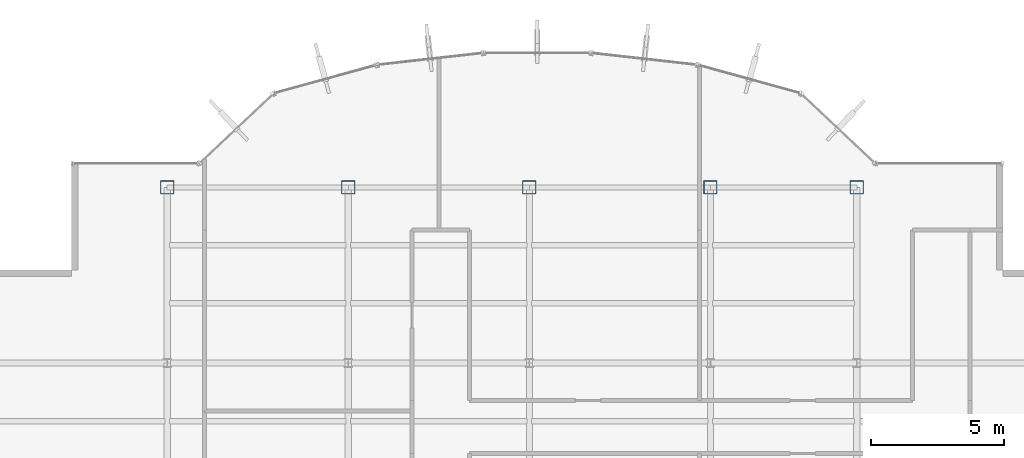
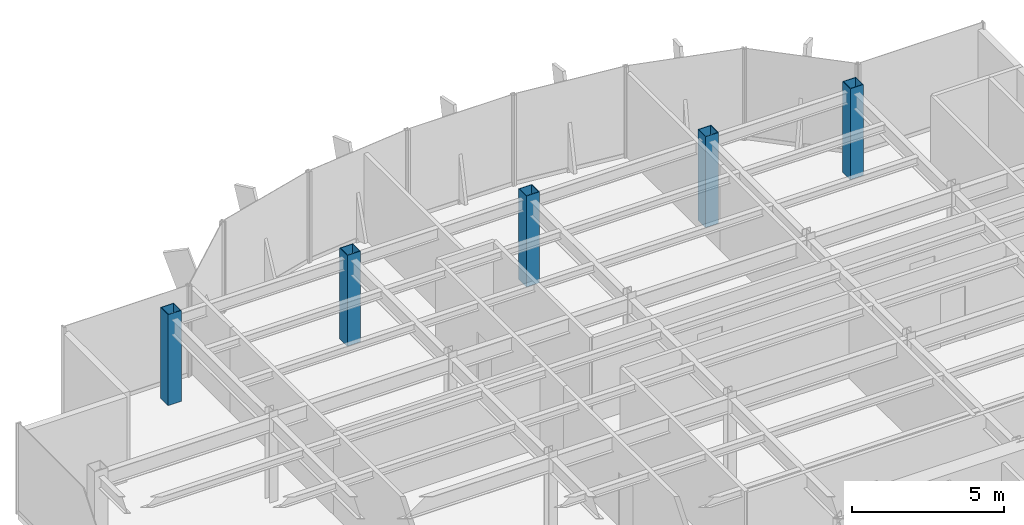
# One storey, part 2 of 22: 5 columns.
"""IFC4 building model written with IfcOpenShell, lengths in metres."""

from ifc_helpers import new_model, si_unit, derived_unit, direction, frame, origin, origin_2d, place, context, subcontext, project, spatial, hollow_rectangle, extrude, source, transform, mapped, material, material_profile, profile_set, type_object, element, save


model = new_model("IFC4")

# Units and contexts
model_context = context("Model", 3, precision=1e-05, world=origin(), true_north=direction((0.0, 1.0)))
body_context = subcontext(model_context, "Body", "Model", "MODEL_VIEW")
ifc_project = project(units=[si_unit("LENGTHUNIT", "METRE"), si_unit("AREAUNIT", "SQUARE_METRE"), si_unit("VOLUMEUNIT", "CUBIC_METRE"), si_unit("PLANEANGLEUNIT", "RADIAN"), si_unit("MASSUNIT", "GRAM", prefix="KILO"), derived_unit("THERMALTRANSMITTANCEUNIT", [(si_unit("POWERUNIT", "WATT"), 1), (si_unit("LENGTHUNIT", "METRE"), -2), (si_unit("THERMODYNAMICTEMPERATUREUNIT", "KELVIN"), -1)])], contexts=[model_context])

# Site, building, storey
site_placement = place(None, origin())
site = spatial("IfcSite", under=ifc_project, at=site_placement, CompositionType="ELEMENT")
building_placement = place(site_placement, origin())
building = spatial("IfcBuilding", under=site, at=building_placement, Name="Skarnbrae Concourse Arena and Tower", CompositionType="ELEMENT")
storey_placement = place(building_placement, frame((0.0, 0.0, 280.699951171875)))
storey = spatial("IfcBuildingStorey", under=building, at=storey_placement, Name="L73", CompositionType="ELEMENT", Elevation=280.699951171875)

# Columns
ifc_material = material(Name="Steel CSA G40.21 350W", Category="steel")
ifc_material_profile = material_profile(ifc_material, hollow_rectangle(XDim=0.5, YDim=0.5, WallThickness=0.02197265625, at=origin_2d()), Name="HSS500X500X22.0")
ifc_profile_set = profile_set([ifc_material_profile], Name="Steel CSA G40.21 350W")
column_type = type_object("IfcColumnType", Name="COL-TUBE-HSS500", PredefinedType="COLUMN", material=ifc_profile_set)
shared_shape = source(origin(), body_context, "Body", "SweptSolid", [
    extrude(hollow_rectangle(XDim=0.5, YDim=0.5, WallThickness=0.02197265625, at=origin_2d()), origin(), (0.0, 0.0, 1.0), 3.650146484375),
])
for number, where, z_axis, x_axis, name in (
    (1, (7.60009765625, 34.39990234375, 0.0), (0.0, 0.0, 1.0), (1.0, 0.0, 0.0), "L73 Tower column PC_02_05"),
    (2, (14.39990234375, 34.39990234375, 0.0), (0.0, 0.0, 1.0), (1.0, 0.0, 0.0), "L73 Tower column PC_03_05"),
    (3, (21.199951171875, 34.39990234375, 0.0), (0.0, 0.0, 1.0), (1.0, 0.0, 0.0), "L73 Tower column PC_04_05"),
    (4, (28.0, 34.39990234375, 0.0), (0.0, 0.0, 1.0), (1.0, 0.0, 0.0), "L73 Tower column PC_05_05"),
    (5, (33.5, 34.39990234375, 0.0), (0.0, 0.0, 1.0), (1.0, 0.0, 0.0), "L73 Tower column PC_06_05"),
):
    element("IfcColumn", number, at=place(storey_placement, frame(where, z_axis=z_axis, x_axis=x_axis)), inside=storey, type_object=column_type, Name=name, PredefinedType="COLUMN", context=body_context, shape_type="MappedRepresentation", body=[
        mapped(shared_shape, transform((0.0, 0.0, 0.0))),
    ])

save(model, "model.ifc")
